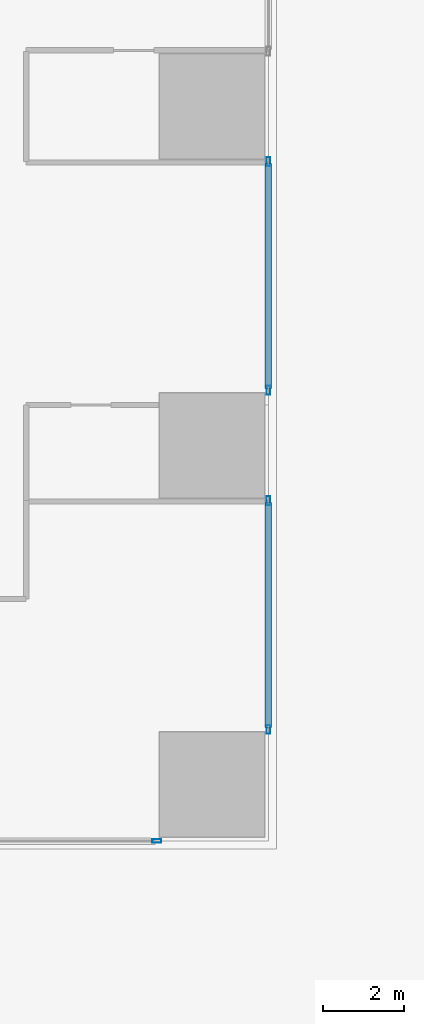
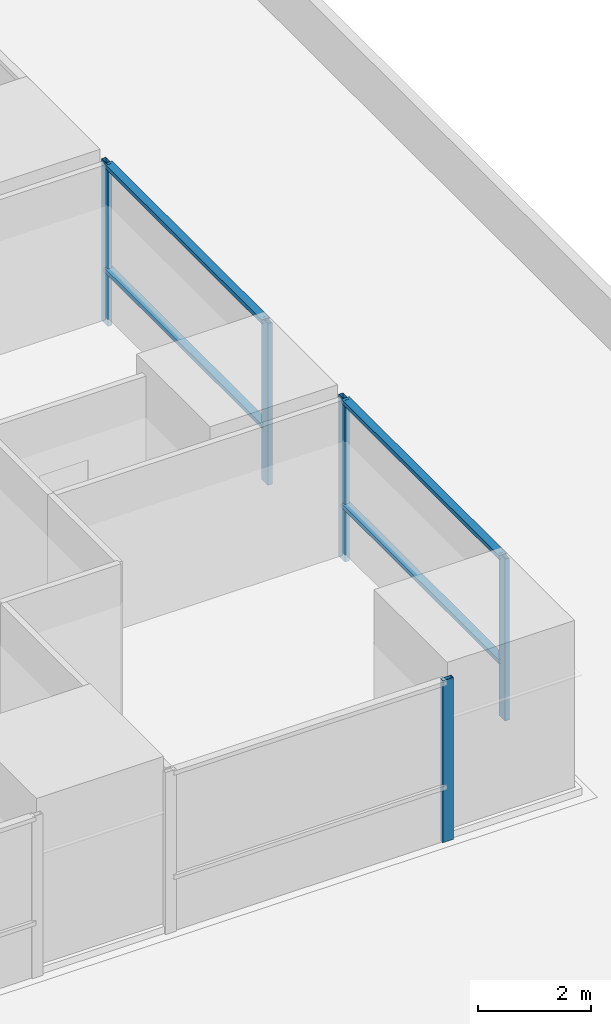
# One storey, part 14 of 35: 9 members, 3 elements without a shape of their own.
"""IFC4 building model written with IfcOpenShell, lengths in metres."""

import ifcopenshell
import ifcopenshell.guid

model = None  # the IFC model being written
_history = None  # IfcOwnerHistory: only IFC2X3 demands one
_inside = {}  # id of a spatial element -> (the spatial element, [elements in it])
_under = {}  # id of a project, library or spatial element -> (it, [spatial elements below it])
_declared = {}  # id of a project -> (the project, [libraries it declares])
_typed = {}  # id of a type object -> (the type object, [elements of that type])
_made_of = {}  # id of a material, layer set ... -> (it, [elements and type objects made of it])


def new_model(schema):
    """Start an empty IFC model of exactly this schema.

    Asked for "IFC4X3", IfcOpenShell would pick the latest addendum, in which some entities
    have other attributes; the version numbers below select the first issue.
    IFC2X3 requires an IfcOwnerHistory on every rooted entity: one is made here for all.
    """
    global model, _history
    if schema == "IFC4X3":
        model = ifcopenshell.file(schema_version=(4, 3, 0, 0))
    else:
        model = ifcopenshell.file(schema=schema)
    _inside.clear()
    _under.clear()
    _declared.clear()
    _typed.clear()
    _made_of.clear()
    _history = None
    if model.schema == "IFC2X3":
        org = make("IfcOrganization", Name="unknown")
        user = make(
            "IfcPersonAndOrganization",
            ThePerson=make("IfcPerson", FamilyName="unknown"),
            TheOrganization=org,
        )
        app = make(
            "IfcApplication",
            ApplicationDeveloper=org,
            Version="unknown",
            ApplicationFullName="unknown",
            ApplicationIdentifier="unknown",
        )
        _history = make(
            "IfcOwnerHistory",
            OwningUser=user,
            OwningApplication=app,
            ChangeAction="ADDED",
            CreationDate=0,
        )
    return model


def make(cls, **values):
    """One entity of the class cls with the attributes given. An attribute that is None is left unset."""
    return model.create_entity(
        cls, **{name: value for name, value in values.items() if value is not None}
    )


def rooted(cls, **values):
    """An entity with a GlobalId (a new one), such as an element, a storey or a relation."""
    return make(cls, GlobalId=ifcopenshell.guid.new(), OwnerHistory=_history, **values)


def si_unit(unit_type, name, prefix=None):
    """IfcSIUnit, for example si_unit("LENGTHUNIT", "METRE", prefix="MILLI")."""
    return make("IfcSIUnit", UnitType=unit_type, Prefix=prefix, Name=name)


def assignment(units):
    """IfcUnitAssignment: the units of a project."""
    return None if units is None else make("IfcUnitAssignment", Units=units)


def point(xyz):
    """IfcCartesianPoint."""
    return None if xyz is None else make("IfcCartesianPoint", Coordinates=xyz)


def direction(xyz):
    """IfcDirection."""
    return None if xyz is None else make("IfcDirection", DirectionRatios=xyz)


def frame(location, z_axis=None, x_axis=None):
    """IfcAxis2Placement3D, a coordinate frame: its origin and axes. An axis left out is left unset."""
    return make(
        "IfcAxis2Placement3D",
        Location=point(location),
        Axis=direction(z_axis),
        RefDirection=direction(x_axis),
    )


def frame_2d(location, x_axis=None):
    """IfcAxis2Placement2D, a coordinate frame in the plane: its origin and x axis."""
    return make(
        "IfcAxis2Placement2D", Location=point(location), RefDirection=direction(x_axis)
    )


def origin():
    """The frame at (0, 0, 0) with its axes left unset."""
    return frame((0.0, 0.0, 0.0))


def origin_2d():
    """The frame at (0, 0) in the plane with its x axis left unset."""
    return frame_2d((0.0, 0.0))


def place(relative_to, where):
    """IfcLocalPlacement: puts the frame where relative to a parent placement (None: the world)."""
    return make(
        "IfcLocalPlacement", PlacementRelTo=relative_to, RelativePlacement=where
    )


def context(
    kind, dimensions, precision=None, world=None, true_north=None, identifier=None
):
    """IfcGeometricRepresentationContext, for example the 3D "Model" context."""
    return make(
        "IfcGeometricRepresentationContext",
        ContextIdentifier=identifier,
        ContextType=kind,
        CoordinateSpaceDimension=dimensions,
        Precision=precision,
        WorldCoordinateSystem=world,
        TrueNorth=true_north,
    )


def subcontext(parent, identifier, kind, view, scale=None):
    """IfcGeometricRepresentationSubContext, for example "Body" below "Model"."""
    return make(
        "IfcGeometricRepresentationSubContext",
        ContextIdentifier=identifier,
        ContextType=kind,
        ParentContext=parent,
        TargetScale=scale,
        TargetView=view,
    )


def project(units=None, contexts=None):
    """IfcProject with its units and contexts."""
    return rooted(
        "IfcProject",
        Name="project",
        RepresentationContexts=contexts,
        UnitsInContext=assignment(units),
    )


def spatial(cls, under=None, at=None, **own):
    """A site, building, storey or space (cls), placed at a placement, below another one or the project."""
    s = rooted(cls, ObjectPlacement=at, **own)
    if under is not None:
        _under.setdefault(under.id(), (under, []))[1].append(s)
    return s


def profile(cls, at=None, kind="AREA", **sizes):
    """A parametric profile (cls). Its sizes go by their IFC names, for example OverallWidth=200.0."""
    return make(cls, ProfileType=kind, Position=at, **sizes)


def hollow_rectangle(**sizes):
    """IfcRectangleHollowProfileDef."""
    return profile("IfcRectangleHollowProfileDef", **sizes)


def extrude(swept, where, along, depth):
    """IfcExtrudedAreaSolid: the profile swept, set in the frame where, extruded along a direction by depth."""
    return make(
        "IfcExtrudedAreaSolid",
        SweptArea=swept,
        Position=where,
        ExtrudedDirection=direction(along),
        Depth=depth,
    )


def shape(context_of_items, identifier, shape_type, items):
    """IfcShapeRepresentation: the items that make up one representation, for example the "Body"."""
    return make(
        "IfcShapeRepresentation",
        ContextOfItems=context_of_items,
        RepresentationIdentifier=identifier,
        RepresentationType=shape_type,
        Items=items,
    )


def material(Name=None, Category=None):
    """IfcMaterial."""
    return make("IfcMaterial", Name=Name, Category=Category)


def material_profile(
    of_material, cross_section, Name=None, Category=None, Priority=None
):
    """IfcMaterialProfile: a cross section and its material."""
    return make(
        "IfcMaterialProfile",
        Name=Name,
        Material=of_material,
        Profile=cross_section,
        Priority=Priority,
        Category=Category,
    )


def profile_set(profiles, Name=None, composite=None):
    """IfcMaterialProfileSet."""
    return make(
        "IfcMaterialProfileSet",
        Name=Name,
        MaterialProfiles=profiles,
        CompositeProfile=composite,
    )


def made_of(thing, what):
    """Note that an element or type object is made of a material, layer set ...; save() writes the relation."""
    if what is not None:
        _made_of.setdefault(what.id(), (what, []))[1].append(thing)
    return thing


def type_object(cls, material=None, **own):
    """A type object (cls), such as IfcWallType, which elements share."""
    return made_of(rooted(cls, **own), material)


def element(
    cls,
    number,
    at=None,
    inside=None,
    cuts=None,
    type_object=None,
    material=None,
    context=None,
    identifier="Body",
    shape_type=None,
    held_by="IfcProductDefinitionShape",
    body=None,
    shapes=None,
    **own,
):
    """One element of the class cls, such as IfcWall. Its Tag is "e" and its number.

    at: its placement. inside: the storey or other place that contains it. cuts: it is an
    opening in that element (IfcRelVoidsElement). A single representation is given by context,
    identifier, shape_type and body (its items); several are given by shapes. held_by: the class
    of the entity that holds the representations. save() writes the other relations.
    """
    e = rooted(cls, Tag="e%d" % number, ObjectPlacement=at, **own)
    if body is not None:
        shapes = [shape(context, identifier, shape_type, body)]
    if shapes is not None:
        e.Representation = make(held_by, Representations=shapes)
    if inside is not None:
        _inside.setdefault(inside.id(), (inside, []))[1].append(e)
    if cuts is not None:
        rooted(
            "IfcRelVoidsElement", RelatingBuildingElement=cuts, RelatedOpeningElement=e
        )
    if type_object is not None:
        _typed.setdefault(type_object.id(), (type_object, []))[1].append(e)
    return made_of(e, material)


def aggregate(whole, parts):
    """IfcRelAggregates: a whole, such as a stair, and the parts it consists of."""
    return rooted("IfcRelAggregates", RelatingObject=whole, RelatedObjects=parts)


def save(model, path):
    """Write the relations noted so far, then the file.

    IfcRelAggregates (storeys below a building ...), IfcRelContainedInSpatialStructure (elements
    in a storey), IfcRelDefinesByType, IfcRelAssociatesMaterial and IfcRelDeclares: one each for
    every whole, place, type object, material and project.
    """
    for whole, parts in _under.values():
        aggregate(whole, parts)
    for where, things in _inside.values():
        rooted(
            "IfcRelContainedInSpatialStructure",
            RelatedElements=things,
            RelatingStructure=where,
        )
    for kind, things in _typed.values():
        rooted("IfcRelDefinesByType", RelatedObjects=things, RelatingType=kind)
    for what, things in _made_of.values():
        rooted("IfcRelAssociatesMaterial", RelatedObjects=things, RelatingMaterial=what)
    for by, libraries in _declared.values():
        rooted("IfcRelDeclares", RelatingContext=by, RelatedDefinitions=libraries)
    model.write(path)


model = new_model("IFC4")

# Units and contexts
model_context = context("Model", 3, precision=1e-05, world=origin(), true_north=direction((0.0, 1.0)))
body_context = subcontext(model_context, "Body", "Model", "MODEL_VIEW")
ifc_project = project(units=[si_unit("LENGTHUNIT", "METRE"), si_unit("AREAUNIT", "SQUARE_METRE"), si_unit("VOLUMEUNIT", "CUBIC_METRE"), si_unit("PLANEANGLEUNIT", "RADIAN"), si_unit("MASSUNIT", "GRAM", prefix="KILO")], contexts=[model_context])

# Site, building, storey
site_placement = place(None, origin())
site = spatial("IfcSite", under=ifc_project, at=site_placement, CompositionType="ELEMENT")
building_placement = place(site_placement, origin())
building = spatial("IfcBuilding", under=site, at=building_placement, Name="Rekha Terrace Tower", CompositionType="ELEMENT")
storey_placement = place(building_placement, frame((0.0, 0.0, 25.39990234375)))
storey = spatial("IfcBuildingStorey", under=building, at=storey_placement, Name="L05", CompositionType="ELEMENT", Elevation=25.39990234375)

# Curtain wall, member
ifc_material_1 = material(Name="Aluminium framing", Category="aluminium")
curtain_wall_type = type_object("IfcCurtainWallType", Name="CW5 sky garden glazing", PredefinedType="USERDEFINED", material=ifc_material_1)
curtain_wall_1_placement = place(storey_placement, origin())
curtain_wall_1 = element("IfcCurtainWall", 1, at=curtain_wall_1_placement, inside=storey, type_object=curtain_wall_type, Name="CW5 sky garden curtain wall", ObjectType="SKY GARDEN CURTAIN WALL", PredefinedType="USERDEFINED")
ifc_material_2 = material(Name="Aluminium mullion section", Category="aluminium")
ifc_material_profile_1 = material_profile(ifc_material_2, hollow_rectangle(XDim=0.090087890625, YDim=0.219970703125, WallThickness=0.00390625, at=origin_2d()), Name="AL RHS 90x220")
ifc_profile_set_1 = profile_set([ifc_material_profile_1], Name="Aluminium mullion section")
member_type_1 = type_object("IfcMemberType", Name="CW5 mullion RHS 90 x 220", PredefinedType="MULLION", material=ifc_profile_set_1)
member_1_placement = place(storey_placement, frame((65.8349609375, 7.0, 0.0), z_axis=(0.0, 0.0, 1.0), x_axis=(0.0, 1.0, 0.0)))
member_1 = element("IfcMember", 2, at=member_1_placement, type_object=member_type_1, Name="CW5 mullion 2", PredefinedType="MULLION", context=body_context, shape_type="SweptSolid", body=[
    extrude(hollow_rectangle(XDim=0.090087890625, YDim=0.219970703125, WallThickness=0.00390625, at=origin_2d()), origin(), (0.0, 0.0, 1.0), 3.5),
])
aggregate(curtain_wall_1, [member_1])

# Curtain wall, members
curtain_wall_2_placement = place(storey_placement, origin())
curtain_wall_2 = element("IfcCurtainWall", 3, at=curtain_wall_2_placement, inside=storey, type_object=curtain_wall_type, Name="CW5 sky garden curtain wall", ObjectType="SKY GARDEN CURTAIN WALL", PredefinedType="USERDEFINED")
member_2_placement = place(storey_placement, frame((68.60009765625, 9.764892578125, 0.0), z_axis=(0.0, 0.0, 1.0), x_axis=(-1.0, 0.0, 0.0)))
member_2 = element("IfcMember", 4, at=member_2_placement, type_object=member_type_1, Name="CW5 mullion 1", PredefinedType="MULLION", context=body_context, shape_type="SweptSolid", body=[
    extrude(hollow_rectangle(XDim=0.090087890625, YDim=0.219970703125, WallThickness=0.00390625, at=origin_2d()), origin(), (0.0, 0.0, 1.0), 3.5),
])
member_3_placement = place(storey_placement, frame((68.60009765625, 15.43505859375, 0.0), z_axis=(0.0, 0.0, 1.0), x_axis=(-1.0, 0.0, 0.0)))
member_3 = element("IfcMember", 5, at=member_3_placement, type_object=member_type_1, Name="CW5 mullion 2", PredefinedType="MULLION", context=body_context, shape_type="SweptSolid", body=[
    extrude(hollow_rectangle(XDim=0.090087890625, YDim=0.219970703125, WallThickness=0.00390625, at=origin_2d()), origin(), (0.0, 0.0, 1.0), 3.5),
])

curtain_wall_3_placement = place(storey_placement, origin())
curtain_wall_3 = element("IfcCurtainWall", 6, at=curtain_wall_3_placement, inside=storey, type_object=curtain_wall_type, Name="CW5 sky garden curtain wall", ObjectType="SKY GARDEN CURTAIN WALL", PredefinedType="USERDEFINED")
member_4_placement = place(storey_placement, frame((68.60009765625, 18.1650390625, 0.0), z_axis=(0.0, 0.0, 1.0), x_axis=(-1.0, 0.0, 0.0)))
member_4 = element("IfcMember", 7, at=member_4_placement, type_object=member_type_1, Name="CW5 mullion 1", PredefinedType="MULLION", context=body_context, shape_type="SweptSolid", body=[
    extrude(hollow_rectangle(XDim=0.090087890625, YDim=0.219970703125, WallThickness=0.00390625, at=origin_2d()), origin(), (0.0, 0.0, 1.0), 3.5),
])
member_5_placement = place(storey_placement, frame((68.60009765625, 23.8349609375, 0.0), z_axis=(0.0, 0.0, 1.0), x_axis=(-1.0, 0.0, 0.0)))
member_5 = element("IfcMember", 8, at=member_5_placement, type_object=member_type_1, Name="CW5 mullion 2", PredefinedType="MULLION", context=body_context, shape_type="SweptSolid", body=[
    extrude(hollow_rectangle(XDim=0.090087890625, YDim=0.219970703125, WallThickness=0.00390625, at=origin_2d()), origin(), (0.0, 0.0, 1.0), 3.5),
])

# Member
ifc_material_3 = material(Name="Aluminium transom section", Category="aluminium")
ifc_material_profile_2 = material_profile(ifc_material_3, hollow_rectangle(XDim=0.159912109375, YDim=0.090087890625, WallThickness=0.0029296875, at=origin_2d()), Name="AL RHS 160x90")
ifc_profile_set_2 = profile_set([ifc_material_profile_2], Name="Aluminium transom section")
member_type_2 = type_object("IfcMemberType", Name="CW5 transom RHS 90 x 160", PredefinedType="USERDEFINED", material=ifc_profile_set_2)
member_6_placement = place(storey_placement, frame((68.60009765625, 9.81005859375, 1.2001953125), z_axis=(0.0, 1.0, 0.0), x_axis=(-1.0, 0.0, 0.0)))
member_6 = element("IfcMember", 9, at=member_6_placement, type_object=member_type_2, Name="CW5 transom 1.2", ObjectType="TRANSOM", PredefinedType="USERDEFINED", context=body_context, shape_type="SweptSolid", body=[
    extrude(hollow_rectangle(XDim=0.159912109375, YDim=0.090087890625, WallThickness=0.0029296875, at=origin_2d()), origin(), (0.0, 0.0, 1.0), 5.579833984375),
])

member_7_placement = place(storey_placement, frame((68.60009765625, 9.81005859375, 3.455078125), z_axis=(0.0, 1.0, 0.0), x_axis=(-1.0, 0.0, 0.0)))
member_7 = element("IfcMember", 10, at=member_7_placement, type_object=member_type_2, Name="CW5 transom 1.3", ObjectType="TRANSOM", PredefinedType="USERDEFINED", context=body_context, shape_type="SweptSolid", body=[
    extrude(hollow_rectangle(XDim=0.159912109375, YDim=0.090087890625, WallThickness=0.0029296875, at=origin_2d()), origin(), (0.0, 0.0, 1.0), 5.579833984375),
])

aggregate(curtain_wall_2, [member_2, member_3, member_6, member_7])

member_8_placement = place(storey_placement, frame((68.60009765625, 18.2099609375, 1.2001953125), z_axis=(0.0, 1.0, 0.0), x_axis=(-1.0, 0.0, 0.0)))
member_8 = element("IfcMember", 11, at=member_8_placement, type_object=member_type_2, Name="CW5 transom 1.2", ObjectType="TRANSOM", PredefinedType="USERDEFINED", context=body_context, shape_type="SweptSolid", body=[
    extrude(hollow_rectangle(XDim=0.159912109375, YDim=0.090087890625, WallThickness=0.0029296875, at=origin_2d()), origin(), (0.0, 0.0, 1.0), 5.580078125),
])

member_9_placement = place(storey_placement, frame((68.60009765625, 18.2099609375, 3.455078125), z_axis=(0.0, 1.0, 0.0), x_axis=(-1.0, 0.0, 0.0)))
member_9 = element("IfcMember", 12, at=member_9_placement, type_object=member_type_2, Name="CW5 transom 1.3", ObjectType="TRANSOM", PredefinedType="USERDEFINED", context=body_context, shape_type="SweptSolid", body=[
    extrude(hollow_rectangle(XDim=0.159912109375, YDim=0.090087890625, WallThickness=0.0029296875, at=origin_2d()), origin(), (0.0, 0.0, 1.0), 5.580078125),
])

aggregate(curtain_wall_3, [member_4, member_5, member_8, member_9])

save(model, "model.ifc")
